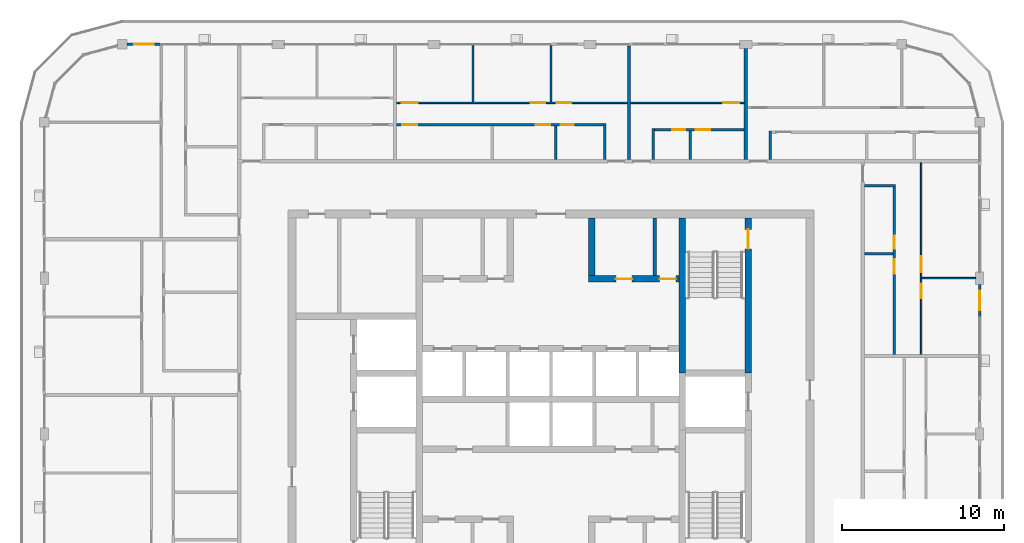
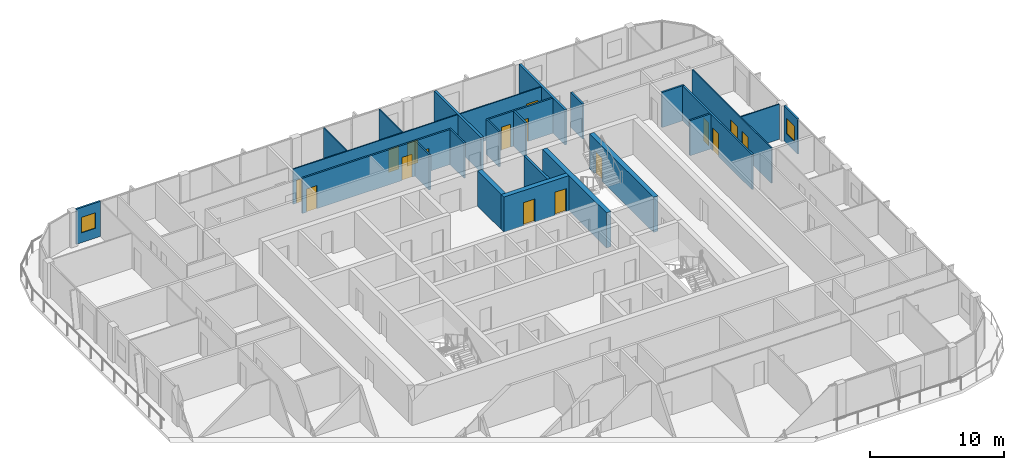
# One storey, part 14 of 21: 25 walls, 16 doors, 2 windows, 18 openings.
"""IFC4 building model written with IfcOpenShell, lengths in metres."""

from ifc_helpers import new_model, si_unit, direction, frame, frame_2d, origin, place, context, subcontext, project, spatial, rectangle, extrude, material, layer, layer_set, type_object, element, fill, save


model = new_model("IFC4")

# Units and contexts
model_context = context("Model", 3, precision=1e-05, world=origin(), true_north=direction((0.0, 1.0)))
body_context = subcontext(model_context, "Body", "Model", "MODEL_VIEW")
ifc_project = project(units=[si_unit("LENGTHUNIT", "METRE"), si_unit("AREAUNIT", "SQUARE_METRE"), si_unit("VOLUMEUNIT", "CUBIC_METRE"), si_unit("PLANEANGLEUNIT", "RADIAN"), si_unit("MASSUNIT", "GRAM", prefix="KILO")], contexts=[model_context])

# Site, building, storey
site_placement = place(None, origin())
site = spatial("IfcSite", under=ifc_project, at=site_placement, CompositionType="ELEMENT")
building_placement = place(site_placement, origin())
building = spatial("IfcBuilding", under=site, at=building_placement, Name="Madar Terraces", CompositionType="ELEMENT")
storey_placement = place(building_placement, frame((0.0, 0.0, 272.10009765625)))
storey = spatial("IfcBuildingStorey", under=building, at=storey_placement, Name="L71", CompositionType="ELEMENT", Elevation=272.10009765625)

# Wall
ifc_material_1 = material(Name="Concrete C50/60", Category="concrete")
ifc_layer_1 = layer(ifc_material_1, 0.39990234375)
ifc_layer_set_1 = layer_set([ifc_layer_1], Name="Concrete C50/60 (CIW6 RC wall 400)")
wall_type_1 = type_object("IfcWallType", Name="CIW6 RC wall 400", PredefinedType="SHEAR", material=ifc_layer_set_1)
wall_1_placement = place(storey_placement, frame((39.300048828125, 27.75, 0.0), z_axis=(0.0, 0.0, 1.0), x_axis=(0.0, 1.0, 0.0)))
element("IfcWall", 1, at=wall_1_placement, inside=storey, type_object=wall_type_1, Name="CORE SHAFT WALL", PredefinedType="SHEAR", context=body_context, shape_type="SweptSolid", body=[
    extrude(rectangle(XDim=9.550048828125, YDim=0.39990234375, at=frame_2d((4.77490234375, 0.0))), origin(), (0.0, 0.0, 1.0), 3.199951171875),
])

# Wall, opening, door
wall_2_placement = place(storey_placement, frame((43.35009765625, 27.75, 0.0), z_axis=(0.0, 0.0, 1.0), x_axis=(0.0, 1.0, 0.0)))
wall_2 = element("IfcWall", 2, at=wall_2_placement, inside=storey, type_object=wall_type_1, Name="CORE SHAFT WALL", PredefinedType="SHEAR", context=body_context, shape_type="SweptSolid", body=[
    extrude(rectangle(XDim=9.550048828125, YDim=0.39990234375, at=frame_2d((4.77490234375, 0.0))), origin(), (0.0, 0.0, 1.0), 3.199951171875),
])
opening_1_placement = place(wall_2_placement, frame((7.64990234375, 0.0, 0.0)))
opening_1 = element("IfcOpeningElement", 3, at=opening_1_placement, cuts=wall_2, Name="Opening SD1", PredefinedType="OPENING", context=body_context, shape_type="SweptSolid", body=[
    extrude(rectangle(XDim=1.199951171875, YDim=2.10009765625, at=frame_2d((0.60009765625, 1.050048828125))), frame((0.0, 0.2099609375, 0.0), z_axis=(0.0, -1.0, 0.0), x_axis=(1.0, 0.0, 0.0)), (0.0, 0.0, 1.0), 0.419921875),
])
ifc_material_2 = material(Name="Steel door leaf", Category="steel")
door_type_1 = type_object("IfcDoorType", Name="Stair door 1200 x 2100", OperationType="NOTDEFINED", PredefinedType="DOOR", material=ifc_material_2)
door_1_placement = place(opening_1_placement, origin())
door_1 = element("IfcDoor", 4, at=door_1_placement, inside=storey, type_object=door_type_1, Name="STAIR DOOR", OperationType="SINGLE_SWING_LEFT", OverallHeight=2.10009765625, OverallWidth=1.199951171875, PredefinedType="DOOR", context=body_context, shape_type="SweptSolid", body=[
    extrude(rectangle(XDim=1.199951171875, YDim=2.10009765625, at=frame_2d((0.60009765625, 1.050048828125))), frame((0.0, 0.02490234375, 0.0), z_axis=(0.0, -1.0, 0.0), x_axis=(1.0, 0.0, 0.0)), (0.0, 0.0, 1.0), 0.050048828125),
])
fill(opening_1, door_1)

# Wall, openings, doors
wall_3_placement = place(storey_placement, frame((33.5, 33.550048828125, 0.0), z_axis=(0.0, 0.0, 1.0), x_axis=(1.0, 0.0, 0.0)))
wall_3 = element("IfcWall", 5, at=wall_3_placement, inside=storey, type_object=wall_type_1, Name="CORE SHAFT WALL", PredefinedType="SHEAR", context=body_context, shape_type="SweptSolid", body=[
    extrude(rectangle(XDim=5.60009765625, YDim=0.39990234375, at=frame_2d((2.800048828125, 0.0))), origin(), (0.0, 0.0, 1.0), 3.199951171875),
])
opening_2_placement = place(wall_3_placement, frame((1.696044921875, 0.0, 0.0)))
opening_2 = element("IfcOpeningElement", 6, at=opening_2_placement, cuts=wall_3, Name="Opening KD2", PredefinedType="OPENING", context=body_context, shape_type="SweptSolid", body=[
    extrude(rectangle(XDim=1.0, YDim=2.10009765625, at=frame_2d((0.5, 1.050048828125))), frame((0.0, 0.2099609375, 0.0), z_axis=(0.0, -1.0, 0.0), x_axis=(1.0, 0.0, 0.0)), (0.0, 0.0, 1.0), 0.419921875),
])
opening_3_placement = place(wall_3_placement, frame((4.39599609375, 0.0, 0.0)))
opening_3 = element("IfcOpeningElement", 7, at=opening_3_placement, cuts=wall_3, Name="Opening KD2", PredefinedType="OPENING", context=body_context, shape_type="SweptSolid", body=[
    extrude(rectangle(XDim=1.0, YDim=2.10009765625, at=frame_2d((0.5, 1.050048828125))), frame((0.0, 0.2099609375, 0.0), z_axis=(0.0, -1.0, 0.0), x_axis=(1.0, 0.0, 0.0)), (0.0, 0.0, 1.0), 0.419921875),
])
ifc_material_3 = material(Name="Steel door leaf", Category="steel")
door_type_2 = type_object("IfcDoorType", Name="Service room door 1000 x 2100", OperationType="NOTDEFINED", PredefinedType="DOOR", material=ifc_material_3)
door_2_placement = place(opening_2_placement, frame((1.0, 0.0, 0.0), z_axis=(0.0, 0.0, 1.0), x_axis=(-1.0, 0.0, 0.0)))
door_2 = element("IfcDoor", 8, at=door_2_placement, inside=storey, type_object=door_type_2, Name="SERVICE ROOM DOOR", OperationType="SINGLE_SWING_LEFT", OverallHeight=2.10009765625, OverallWidth=1.0, PredefinedType="DOOR", context=body_context, shape_type="SweptSolid", body=[
    extrude(rectangle(XDim=1.0, YDim=2.10009765625, at=frame_2d((0.5, 1.050048828125))), frame((0.0, 0.02490234375, 0.0), z_axis=(0.0, -1.0, 0.0), x_axis=(1.0, 0.0, 0.0)), (0.0, 0.0, 1.0), 0.050048828125),
])
fill(opening_2, door_2)
door_3_placement = place(opening_3_placement, frame((1.0, 0.0, 0.0), z_axis=(0.0, 0.0, 1.0), x_axis=(-1.0, 0.0, 0.0)))
door_3 = element("IfcDoor", 9, at=door_3_placement, inside=storey, type_object=door_type_2, Name="SERVICE ROOM DOOR", OperationType="SINGLE_SWING_RIGHT", OverallHeight=2.10009765625, OverallWidth=1.0, PredefinedType="DOOR", context=body_context, shape_type="SweptSolid", body=[
    extrude(rectangle(XDim=1.0, YDim=2.10009765625, at=frame_2d((0.5, 1.050048828125))), frame((0.0, 0.02490234375, 0.0), z_axis=(0.0, -1.0, 0.0), x_axis=(1.0, 0.0, 0.0)), (0.0, 0.0, 1.0), 0.050048828125),
])
fill(opening_3, door_3)

# Walls
wall_4_placement = place(storey_placement, frame((33.699951171875, 33.75, 0.0), z_axis=(0.0, 0.0, 1.0), x_axis=(0.0, 1.0, 0.0)))
element("IfcWall", 10, at=wall_4_placement, inside=storey, type_object=wall_type_1, Name="CORE SHAFT WALL", PredefinedType="SHEAR", context=body_context, shape_type="SweptSolid", body=[
    extrude(rectangle(XDim=3.550048828125, YDim=0.39990234375, at=frame_2d((1.77490234375, 0.0))), origin(), (0.0, 0.0, 1.0), 3.199951171875),
])
ifc_material_4 = material(Name="Masonry blockwork", Category="masonry")
ifc_layer_2 = layer(ifc_material_4, 0.199951171875)
ifc_layer_set_2 = layer_set([ifc_layer_2], Name="Core partition 200 blockwork")
wall_type_2 = type_object("IfcWallType", Name="Core partition 200 blockwork", PredefinedType="PARTITIONING", material=ifc_layer_set_2)
wall_5_placement = place(storey_placement, frame((37.592041015625, 33.75, 0.0), z_axis=(0.0, 0.0, 1.0), x_axis=(0.0, 1.0, 0.0)))
element("IfcWall", 11, at=wall_5_placement, inside=storey, type_object=wall_type_2, Name="SERVICE ROOM PARTITION", PredefinedType="PARTITIONING", context=body_context, shape_type="SweptSolid", body=[
    extrude(rectangle(XDim=3.550048828125, YDim=0.199951171875, at=frame_2d((1.77490234375, 0.0))), origin(), (0.0, 0.0, 1.0), 3.199951171875),
])

# Wall, opening, window
ifc_material_5 = material(Name="Aluminium composite panel, black, over insulated backing", Category="aluminium")
ifc_layer_3 = layer(ifc_material_5, 0.14990234375)
ifc_layer_set_3 = layer_set([ifc_layer_3], Name="Facade bay panel 150")
wall_type_3 = type_object("IfcWallType", Name="Facade bay panel 150", PredefinedType="SOLIDWALL", material=ifc_layer_set_3)
wall_6_placement = place(storey_placement, frame((57.60009765625, 31.199951171875, 0.0), z_axis=(0.0, 0.0, 1.0), x_axis=(0.0, 1.0, 0.0)))
wall_6 = element("IfcWall", 12, at=wall_6_placement, inside=storey, type_object=wall_type_3, Name="Facade bay panel", PredefinedType="SOLIDWALL", context=body_context, shape_type="SweptSolid", body=[
    extrude(rectangle(XDim=2.025146484375, YDim=0.14990234375, at=frame_2d((1.0126953125, 0.0))), origin(), (0.0, 0.0, 1.0), 3.199951171875),
])
opening_4_placement = place(wall_6_placement, frame((0.41259765625, 0.0, 0.89990234375)))
opening_4 = element("IfcOpeningElement", 13, at=opening_4_placement, cuts=wall_6, Name="Opening W1", PredefinedType="OPENING", context=body_context, shape_type="SweptSolid", body=[
    extrude(rectangle(XDim=1.199951171875, YDim=1.39990234375, at=frame_2d((0.60009765625, 0.699951171875))), frame((0.0, 0.0849609375, 0.0), z_axis=(0.0, -1.0, 0.0), x_axis=(1.0, 0.0, 0.0)), (0.0, 0.0, 1.0), 0.169921875),
])
ifc_material_6 = material(Name="Glass, clear, with black aluminium frame", Category="aluminium")
window_type = type_object("IfcWindowType", Name="Vent window 1200 x 1400", PartitioningType="SINGLE_PANEL", PredefinedType="WINDOW", material=ifc_material_6)
window_1_placement = place(opening_4_placement, origin())
window_1 = element("IfcWindow", 14, at=window_1_placement, inside=storey, type_object=window_type, Name="Operable vent window", OverallHeight=1.39990234375, OverallWidth=1.199951171875, PartitioningType="SINGLE_PANEL", PredefinedType="WINDOW", context=body_context, shape_type="SweptSolid", body=[
    extrude(rectangle(XDim=1.199951171875, YDim=1.39990234375, at=frame_2d((0.60009765625, 0.699951171875))), frame((0.0, 0.030029296875, 0.0), z_axis=(0.0, -1.0, 0.0), x_axis=(1.0, 0.0, 0.0)), (0.0, 0.0, 1.0), 0.06005859375),
])
fill(opening_4, window_1)

wall_7_placement = place(storey_placement, frame((7.199951171875, 48.0, 0.0), z_axis=(0.0, 0.0, 1.0), x_axis=(-1.0, 0.0, 0.0)))
wall_7 = element("IfcWall", 15, at=wall_7_placement, inside=storey, type_object=wall_type_3, Name="Facade bay panel", PredefinedType="SOLIDWALL", context=body_context, shape_type="SweptSolid", body=[
    extrude(rectangle(XDim=2.099853515625, YDim=0.14990234375, at=frame_2d((1.0498046875, 0.0))), origin(), (0.0, 0.0, 1.0), 3.199951171875),
])
opening_5_placement = place(wall_7_placement, frame((0.449951171875, 0.0, 0.89990234375)))
opening_5 = element("IfcOpeningElement", 16, at=opening_5_placement, cuts=wall_7, Name="Opening W1", PredefinedType="OPENING", context=body_context, shape_type="SweptSolid", body=[
    extrude(rectangle(XDim=1.199951171875, YDim=1.39990234375, at=frame_2d((0.60009765625, 0.699951171875))), frame((0.0, 0.0849609375, 0.0), z_axis=(0.0, -1.0, 0.0), x_axis=(1.0, 0.0, 0.0)), (0.0, 0.0, 1.0), 0.169921875),
])
window_2_placement = place(opening_5_placement, origin())
window_2 = element("IfcWindow", 17, at=window_2_placement, inside=storey, type_object=window_type, Name="Operable vent window", OverallHeight=1.39990234375, OverallWidth=1.199951171875, PartitioningType="SINGLE_PANEL", PredefinedType="WINDOW", context=body_context, shape_type="SweptSolid", body=[
    extrude(rectangle(XDim=1.199951171875, YDim=1.39990234375, at=frame_2d((0.60009765625, 0.699951171875))), frame((0.0, 0.030029296875, 0.0), z_axis=(0.0, -1.0, 0.0), x_axis=(1.0, 0.0, 0.0)), (0.0, 0.0, 1.0), 0.06005859375),
])
fill(opening_5, window_2)

# Wall
ifc_material_7 = material(Name="Gypsum board on steel studs", Category="steel")
ifc_layer_4 = layer(ifc_material_7, 0.10009765625)
ifc_layer_set_4 = layer_set([ifc_layer_4], Name="Flat partition 100")
wall_type_4 = type_object("IfcWallType", Name="Flat partition 100", PredefinedType="PARTITIONING", material=ifc_layer_set_4)
wall_8_placement = place(storey_placement, frame((54.050048828125, 33.60009765625, 0.0), z_axis=(0.0, 0.0, 1.0), x_axis=(1.0, 0.0, 0.0)))
element("IfcWall", 18, at=wall_8_placement, inside=storey, type_object=wall_type_4, Name="Flat partition 100", PredefinedType="PARTITIONING", context=body_context, shape_type="SweptSolid", body=[
    extrude(rectangle(XDim=3.300048828125, YDim=0.10009765625, at=frame_2d((1.64990234375, 0.0))), origin(), (0.0, 0.0, 1.0), 3.199951171875),
])

# Wall, openings, doors
wall_9_placement = place(storey_placement, frame((54.0, 40.699951171875, 0.0), z_axis=(0.0, 0.0, 1.0), x_axis=(0.0, -1.0, 0.0)))
wall_9 = element("IfcWall", 19, at=wall_9_placement, inside=storey, type_object=wall_type_4, Name="Flat partition 100", PredefinedType="PARTITIONING", context=body_context, shape_type="SweptSolid", body=[
    extrude(rectangle(XDim=11.800048828125, YDim=0.10009765625, at=frame_2d((5.89990234375, 0.0))), origin(), (0.0, 0.0, 1.0), 3.199951171875),
])
opening_6_placement = place(wall_9_placement, frame((5.75, 0.0, 0.0)))
opening_6 = element("IfcOpeningElement", 20, at=opening_6_placement, cuts=wall_9, Name="Opening D3", PredefinedType="OPENING", context=body_context, shape_type="SweptSolid", body=[
    extrude(rectangle(XDim=1.0, YDim=2.10009765625, at=frame_2d((0.5, 1.050048828125))), frame((0.0, 0.06005859375, 0.0), z_axis=(0.0, -1.0, 0.0), x_axis=(1.0, 0.0, 0.0)), (0.0, 0.0, 1.0), 0.1201171875),
])
opening_7_placement = place(wall_9_placement, frame((7.449951171875, 0.0, 0.0)))
opening_7 = element("IfcOpeningElement", 21, at=opening_7_placement, cuts=wall_9, Name="Opening D2", PredefinedType="OPENING", context=body_context, shape_type="SweptSolid", body=[
    extrude(rectangle(XDim=0.89990234375, YDim=2.10009765625, at=frame_2d((0.449951171875, 1.050048828125))), frame((0.0, 0.06005859375, 0.0), z_axis=(0.0, -1.0, 0.0), x_axis=(1.0, 0.0, 0.0)), (0.0, 0.0, 1.0), 0.1201171875),
])
ifc_material_8 = material(Name="Timber door leaf", Category="wood")
door_type_3 = type_object("IfcDoorType", Name="Flat living room door 1000", OperationType="NOTDEFINED", PredefinedType="DOOR", material=ifc_material_8)
door_4_placement = place(opening_6_placement, origin())
door_4 = element("IfcDoor", 22, at=door_4_placement, inside=storey, type_object=door_type_3, Name="Flat living room door 1000", OperationType="SINGLE_SWING_RIGHT", OverallHeight=2.10009765625, OverallWidth=1.0, PredefinedType="DOOR", context=body_context, shape_type="SweptSolid", body=[
    extrude(rectangle(XDim=1.0, YDim=2.10009765625, at=frame_2d((0.5, 1.050048828125))), frame((0.0, 0.02490234375, 0.0), z_axis=(0.0, -1.0, 0.0), x_axis=(1.0, 0.0, 0.0)), (0.0, 0.0, 1.0), 0.050048828125),
])
fill(opening_6, door_4)
ifc_material_9 = material(Name="Timber door leaf", Category="wood")
door_type_4 = type_object("IfcDoorType", Name="Flat room door 900", OperationType="NOTDEFINED", PredefinedType="DOOR", material=ifc_material_9)
door_5_placement = place(opening_7_placement, origin())
door_5 = element("IfcDoor", 23, at=door_5_placement, inside=storey, type_object=door_type_4, Name="Flat room door 900", OperationType="SINGLE_SWING_LEFT", OverallHeight=2.10009765625, OverallWidth=0.89990234375, PredefinedType="DOOR", context=body_context, shape_type="SweptSolid", body=[
    extrude(rectangle(XDim=0.89990234375, YDim=2.10009765625, at=frame_2d((0.449951171875, 1.050048828125))), frame((0.0, 0.02490234375, 0.0), z_axis=(0.0, -1.0, 0.0), x_axis=(1.0, 0.0, 0.0)), (0.0, 0.0, 1.0), 0.050048828125),
])
fill(opening_7, door_5)

# Wall, opening, door
wall_10_placement = place(storey_placement, frame((36.10009765625, 44.39990234375, 0.0), z_axis=(0.0, 0.0, 1.0), x_axis=(1.0, 0.0, 0.0)))
wall_10 = element("IfcWall", 24, at=wall_10_placement, inside=storey, type_object=wall_type_4, Name="Flat partition 100", PredefinedType="PARTITIONING", context=body_context, shape_type="SweptSolid", body=[
    extrude(rectangle(XDim=7.0, YDim=0.10009765625, at=frame_2d((3.5, 0.0))), origin(), (0.0, 0.0, 1.0), 3.199951171875),
])
opening_8_placement = place(wall_10_placement, frame((5.699951171875, 0.0, 0.0)))
opening_8 = element("IfcOpeningElement", 25, at=opening_8_placement, cuts=wall_10, Name="Opening D3", PredefinedType="OPENING", context=body_context, shape_type="SweptSolid", body=[
    extrude(rectangle(XDim=1.0, YDim=2.10009765625, at=frame_2d((0.5, 1.050048828125))), frame((0.0, 0.06005859375, 0.0), z_axis=(0.0, -1.0, 0.0), x_axis=(1.0, 0.0, 0.0)), (0.0, 0.0, 1.0), 0.1201171875),
])
door_6_placement = place(opening_8_placement, origin())
door_6 = element("IfcDoor", 26, at=door_6_placement, inside=storey, type_object=door_type_3, Name="Flat living room door 1000", OperationType="SINGLE_SWING_RIGHT", OverallHeight=2.10009765625, OverallWidth=1.0, PredefinedType="DOOR", context=body_context, shape_type="SweptSolid", body=[
    extrude(rectangle(XDim=1.0, YDim=2.10009765625, at=frame_2d((0.5, 1.050048828125))), frame((0.0, 0.02490234375, 0.0), z_axis=(0.0, -1.0, 0.0), x_axis=(1.0, 0.0, 0.0)), (0.0, 0.0, 1.0), 0.050048828125),
])
fill(opening_8, door_6)

# Walls
for number, where, z_axis, x_axis, name in (
    (27, (31.199951171875, 44.449951171875, 0.0), (0.0, 0.0, 1.0), (0.0, 1.0, 0.0), "Flat partition 100"),
    (28, (26.39990234375, 44.449951171875, 0.0), (0.0, 0.0, 1.0), (0.0, 1.0, 0.0), "Flat partition 100"),
):
    element("IfcWall", number, at=place(storey_placement, frame(where, z_axis=z_axis, x_axis=x_axis)), inside=storey, type_object=wall_type_4, Name=name, PredefinedType="PARTITIONING", context=body_context, shape_type="SweptSolid", body=[
        extrude(rectangle(XDim=3.449951171875, YDim=0.10009765625, at=frame_2d((1.72509765625, 0.0))), origin(), (0.0, 0.0, 1.0), 3.199951171875),
    ])

# Wall, openings, doors
wall_11_placement = place(storey_placement, frame((21.699951171875, 44.39990234375, 0.0), z_axis=(0.0, 0.0, 1.0), x_axis=(1.0, 0.0, 0.0)))
wall_11 = element("IfcWall", 29, at=wall_11_placement, inside=storey, type_object=wall_type_4, Name="Flat partition 100", PredefinedType="PARTITIONING", context=body_context, shape_type="SweptSolid", body=[
    extrude(rectangle(XDim=14.199951171875, YDim=0.10009765625, at=frame_2d((7.10009765625, 0.0))), origin(), (0.0, 0.0, 1.0), 3.199951171875),
])
opening_9_placement = place(wall_11_placement, frame((9.85009765625, 0.0, 0.0)))
opening_9 = element("IfcOpeningElement", 30, at=opening_9_placement, cuts=wall_11, Name="Opening D2", PredefinedType="OPENING", context=body_context, shape_type="SweptSolid", body=[
    extrude(rectangle(XDim=0.89990234375, YDim=2.10009765625, at=frame_2d((0.449951171875, 1.050048828125))), frame((0.0, 0.06005859375, 0.0), z_axis=(0.0, -1.0, 0.0), x_axis=(1.0, 0.0, 0.0)), (0.0, 0.0, 1.0), 0.1201171875),
])
opening_10_placement = place(wall_11_placement, frame((8.25, 0.0, 0.0)))
opening_10 = element("IfcOpeningElement", 31, at=opening_10_placement, cuts=wall_11, Name="Opening D2", PredefinedType="OPENING", context=body_context, shape_type="SweptSolid", body=[
    extrude(rectangle(XDim=0.89990234375, YDim=2.10009765625, at=frame_2d((0.449951171875, 1.050048828125))), frame((0.0, 0.06005859375, 0.0), z_axis=(0.0, -1.0, 0.0), x_axis=(1.0, 0.0, 0.0)), (0.0, 0.0, 1.0), 0.1201171875),
])
opening_11_placement = place(wall_11_placement, frame((0.300048828125, 0.0, 0.0)))
opening_11 = element("IfcOpeningElement", 32, at=opening_11_placement, cuts=wall_11, Name="Opening D3", PredefinedType="OPENING", context=body_context, shape_type="SweptSolid", body=[
    extrude(rectangle(XDim=1.0, YDim=2.10009765625, at=frame_2d((0.5, 1.050048828125))), frame((0.0, 0.06005859375, 0.0), z_axis=(0.0, -1.0, 0.0), x_axis=(1.0, 0.0, 0.0)), (0.0, 0.0, 1.0), 0.1201171875),
])
door_7_placement = place(opening_11_placement, origin())
door_7 = element("IfcDoor", 33, at=door_7_placement, inside=storey, type_object=door_type_3, Name="Flat living room door 1000", OperationType="SINGLE_SWING_LEFT", OverallHeight=2.10009765625, OverallWidth=1.0, PredefinedType="DOOR", context=body_context, shape_type="SweptSolid", body=[
    extrude(rectangle(XDim=1.0, YDim=2.10009765625, at=frame_2d((0.5, 1.050048828125))), frame((0.0, 0.02490234375, 0.0), z_axis=(0.0, -1.0, 0.0), x_axis=(1.0, 0.0, 0.0)), (0.0, 0.0, 1.0), 0.050048828125),
])
fill(opening_11, door_7)
door_8_placement = place(opening_9_placement, origin())
door_8 = element("IfcDoor", 34, at=door_8_placement, inside=storey, type_object=door_type_4, Name="Flat room door 900", OperationType="SINGLE_SWING_LEFT", OverallHeight=2.10009765625, OverallWidth=0.89990234375, PredefinedType="DOOR", context=body_context, shape_type="SweptSolid", body=[
    extrude(rectangle(XDim=0.89990234375, YDim=2.10009765625, at=frame_2d((0.449951171875, 1.050048828125))), frame((0.0, 0.02490234375, 0.0), z_axis=(0.0, -1.0, 0.0), x_axis=(1.0, 0.0, 0.0)), (0.0, 0.0, 1.0), 0.050048828125),
])
fill(opening_9, door_8)
door_9_placement = place(opening_10_placement, origin())
door_9 = element("IfcDoor", 35, at=door_9_placement, inside=storey, type_object=door_type_4, Name="Flat room door 900", OperationType="SINGLE_SWING_RIGHT", OverallHeight=2.10009765625, OverallWidth=0.89990234375, PredefinedType="DOOR", context=body_context, shape_type="SweptSolid", body=[
    extrude(rectangle(XDim=0.89990234375, YDim=2.10009765625, at=frame_2d((0.449951171875, 1.050048828125))), frame((0.0, 0.02490234375, 0.0), z_axis=(0.0, -1.0, 0.0), x_axis=(1.0, 0.0, 0.0)), (0.0, 0.0, 1.0), 0.050048828125),
])
fill(opening_10, door_9)

# Walls
ifc_material_10 = material(Name="Lightweight blockwork", Category="masonry")
ifc_layer_5 = layer(ifc_material_10, 0.199951171875)
ifc_layer_set_5 = layer_set([ifc_layer_5], Name="Flat party and entrance wall 200")
wall_type_5 = type_object("IfcWallType", Name="Flat party and entrance wall 200", PredefinedType="PARTITIONING", material=ifc_layer_set_5)
wall_12_placement = place(storey_placement, frame((43.199951171875, 47.75, 0.0), z_axis=(0.0, 0.0, 1.0), x_axis=(0.0, -1.0, 0.0)))
element("IfcWall", 36, at=wall_12_placement, inside=storey, type_object=wall_type_5, Name="Flat party and entrance wall 200", PredefinedType="PARTITIONING", context=body_context, shape_type="SweptSolid", body=[
    extrude(rectangle(XDim=6.85009765625, YDim=0.199951171875, at=frame_2d((3.425048828125, 0.0))), origin(), (0.0, 0.0, 1.0), 3.199951171875),
])
wall_13_placement = place(storey_placement, frame((36.0, 47.89990234375, 0.0), z_axis=(0.0, 0.0, 1.0), x_axis=(0.0, -1.0, 0.0)))
element("IfcWall", 37, at=wall_13_placement, inside=storey, type_object=wall_type_5, Name="Flat party and entrance wall 200", PredefinedType="PARTITIONING", context=body_context, shape_type="SweptSolid", body=[
    extrude(rectangle(XDim=7.0, YDim=0.199951171875, at=frame_2d((3.5, 0.0))), origin(), (0.0, 0.0, 1.0), 3.199951171875),
])
ifc_material_11 = material(Name="Lightweight blockwork", Category="masonry")
ifc_layer_6 = layer(ifc_material_11, 0.14990234375)
ifc_layer_set_6 = layer_set([ifc_layer_6], Name="Flat wet-room partition 150")
wall_type_6 = type_object("IfcWallType", Name="Flat wet-room partition 150", PredefinedType="PARTITIONING", material=ifc_layer_set_6)
wall_14_placement = place(storey_placement, frame((50.5, 35.094970703125, 0.0), z_axis=(0.0, 0.0, 1.0), x_axis=(1.0, 0.0, 0.0)))
element("IfcWall", 38, at=wall_14_placement, inside=storey, type_object=wall_type_6, Name="Flat wet-room partition 150", PredefinedType="PARTITIONING", context=body_context, shape_type="SweptSolid", body=[
    extrude(rectangle(XDim=1.77490234375, YDim=0.14990234375, at=frame_2d((0.887451171875, 0.0))), origin(), (0.0, 0.0, 1.0), 3.199951171875),
])
wall_15_placement = place(storey_placement, frame((50.5, 39.300048828125, 0.0), z_axis=(0.0, 0.0, 1.0), x_axis=(1.0, 0.0, 0.0)))
element("IfcWall", 39, at=wall_15_placement, inside=storey, type_object=wall_type_6, Name="Flat wet-room partition 150", PredefinedType="PARTITIONING", context=body_context, shape_type="SweptSolid", body=[
    extrude(rectangle(XDim=1.925048828125, YDim=0.14990234375, at=frame_2d((0.96240234375, 0.0))), origin(), (0.0, 0.0, 1.0), 3.199951171875),
])

# Wall, openings, doors
wall_16_placement = place(storey_placement, frame((52.35009765625, 28.89990234375, 0.0), z_axis=(0.0, 0.0, 1.0), x_axis=(0.0, 1.0, 0.0)))
wall_16 = element("IfcWall", 40, at=wall_16_placement, inside=storey, type_object=wall_type_6, Name="Flat wet-room partition 150", PredefinedType="PARTITIONING", context=body_context, shape_type="SweptSolid", body=[
    extrude(rectangle(XDim=10.3251953125, YDim=0.14990234375, at=frame_2d((5.16259765625, 0.0))), origin(), (0.0, 0.0, 1.0), 3.199951171875),
])
opening_12_placement = place(wall_16_placement, frame((6.52001953125, 0.0, 0.0)))
opening_12 = element("IfcOpeningElement", 41, at=opening_12_placement, cuts=wall_16, Name="Opening D4", PredefinedType="OPENING", context=body_context, shape_type="SweptSolid", body=[
    extrude(rectangle(XDim=0.800048828125, YDim=2.10009765625, at=frame_2d((0.39990234375, 1.050048828125))), frame((0.0, 0.0849609375, 0.0), z_axis=(0.0, -1.0, 0.0), x_axis=(1.0, 0.0, 0.0)), (0.0, 0.0, 1.0), 0.169921875),
])
opening_13_placement = place(wall_16_placement, frame((4.969970703125, 0.0, 0.0)))
opening_13 = element("IfcOpeningElement", 42, at=opening_13_placement, cuts=wall_16, Name="Opening D2", PredefinedType="OPENING", context=body_context, shape_type="SweptSolid", body=[
    extrude(rectangle(XDim=0.89990234375, YDim=2.10009765625, at=frame_2d((0.449951171875, 1.050048828125))), frame((0.0, 0.0849609375, 0.0), z_axis=(0.0, -1.0, 0.0), x_axis=(1.0, 0.0, 0.0)), (0.0, 0.0, 1.0), 0.169921875),
])
ifc_material_12 = material(Name="Timber door leaf", Category="wood")
door_type_5 = type_object("IfcDoorType", Name="Flat bathroom door 800", OperationType="NOTDEFINED", PredefinedType="DOOR", material=ifc_material_12)
door_10_placement = place(opening_12_placement, origin())
door_10 = element("IfcDoor", 43, at=door_10_placement, inside=storey, type_object=door_type_5, Name="Flat bathroom door 800", OperationType="SINGLE_SWING_LEFT", OverallHeight=2.10009765625, OverallWidth=0.800048828125, PredefinedType="DOOR", context=body_context, shape_type="SweptSolid", body=[
    extrude(rectangle(XDim=0.800048828125, YDim=2.10009765625, at=frame_2d((0.39990234375, 1.050048828125))), frame((0.0, 0.02490234375, 0.0), z_axis=(0.0, -1.0, 0.0), x_axis=(1.0, 0.0, 0.0)), (0.0, 0.0, 1.0), 0.050048828125),
])
fill(opening_12, door_10)
door_11_placement = place(opening_13_placement, origin())
door_11 = element("IfcDoor", 44, at=door_11_placement, inside=storey, type_object=door_type_4, Name="Flat room door 900", OperationType="SINGLE_SWING_RIGHT", OverallHeight=2.10009765625, OverallWidth=0.89990234375, PredefinedType="DOOR", context=body_context, shape_type="SweptSolid", body=[
    extrude(rectangle(XDim=0.89990234375, YDim=2.10009765625, at=frame_2d((0.449951171875, 1.050048828125))), frame((0.0, 0.02490234375, 0.0), z_axis=(0.0, -1.0, 0.0), x_axis=(1.0, 0.0, 0.0)), (0.0, 0.0, 1.0), 0.050048828125),
])
fill(opening_13, door_11)

# Walls
for number, where, z_axis, x_axis, name in (
    (45, (44.699951171875, 40.89990234375, 0.0), (0.0, 0.0, 1.0), (0.0, 1.0, 0.0), "Flat wet-room partition 150"),
    (46, (39.784912109375, 40.89990234375, 0.0), (0.0, 0.0, 1.0), (0.0, 1.0, 0.0), "Flat wet-room partition 150"),
):
    element("IfcWall", number, at=place(storey_placement, frame(where, z_axis=z_axis, x_axis=x_axis)), inside=storey, type_object=wall_type_6, Name=name, PredefinedType="PARTITIONING", context=body_context, shape_type="SweptSolid", body=[
        extrude(rectangle(XDim=1.775146484375, YDim=0.14990234375, at=frame_2d((0.8876953125, 0.0))), origin(), (0.0, 0.0, 1.0), 3.199951171875),
    ])
wall_17_placement = place(storey_placement, frame((37.5, 40.89990234375, 0.0), z_axis=(0.0, 0.0, 1.0), x_axis=(0.0, 1.0, 0.0)))
element("IfcWall", 47, at=wall_17_placement, inside=storey, type_object=wall_type_6, Name="Flat wet-room partition 150", PredefinedType="PARTITIONING", context=body_context, shape_type="SweptSolid", body=[
    extrude(rectangle(XDim=1.925048828125, YDim=0.14990234375, at=frame_2d((0.96240234375, 0.0))), origin(), (0.0, 0.0, 1.0), 3.199951171875),
])

# Wall, openings, doors
wall_18_placement = place(storey_placement, frame((43.10009765625, 42.75, 0.0), z_axis=(0.0, 0.0, 1.0), x_axis=(-1.0, 0.0, 0.0)))
wall_18 = element("IfcWall", 48, at=wall_18_placement, inside=storey, type_object=wall_type_6, Name="Flat wet-room partition 150", PredefinedType="PARTITIONING", context=body_context, shape_type="SweptSolid", body=[
    extrude(rectangle(XDim=5.525146484375, YDim=0.14990234375, at=frame_2d((2.7626953125, 0.0))), origin(), (0.0, 0.0, 1.0), 3.199951171875),
])
opening_14_placement = place(wall_18_placement, frame((3.639892578125, 0.0, 0.0)))
opening_14 = element("IfcOpeningElement", 49, at=opening_14_placement, cuts=wall_18, Name="Opening D4", PredefinedType="OPENING", context=body_context, shape_type="SweptSolid", body=[
    extrude(rectangle(XDim=0.800048828125, YDim=2.10009765625, at=frame_2d((0.39990234375, 1.050048828125))), frame((0.0, 0.0849609375, 0.0), z_axis=(0.0, -1.0, 0.0), x_axis=(1.0, 0.0, 0.0)), (0.0, 0.0, 1.0), 0.169921875),
])
opening_15_placement = place(wall_18_placement, frame((2.090087890625, 0.0, 0.0)))
opening_15 = element("IfcOpeningElement", 50, at=opening_15_placement, cuts=wall_18, Name="Opening D2", PredefinedType="OPENING", context=body_context, shape_type="SweptSolid", body=[
    extrude(rectangle(XDim=0.89990234375, YDim=2.10009765625, at=frame_2d((0.449951171875, 1.050048828125))), frame((0.0, 0.0849609375, 0.0), z_axis=(0.0, -1.0, 0.0), x_axis=(1.0, 0.0, 0.0)), (0.0, 0.0, 1.0), 0.169921875),
])
door_12_placement = place(opening_14_placement, origin())
door_12 = element("IfcDoor", 51, at=door_12_placement, inside=storey, type_object=door_type_5, Name="Flat bathroom door 800", OperationType="SINGLE_SWING_LEFT", OverallHeight=2.10009765625, OverallWidth=0.800048828125, PredefinedType="DOOR", context=body_context, shape_type="SweptSolid", body=[
    extrude(rectangle(XDim=0.800048828125, YDim=2.10009765625, at=frame_2d((0.39990234375, 1.050048828125))), frame((0.0, 0.02490234375, 0.0), z_axis=(0.0, -1.0, 0.0), x_axis=(1.0, 0.0, 0.0)), (0.0, 0.0, 1.0), 0.050048828125),
])
fill(opening_14, door_12)
door_13_placement = place(opening_15_placement, origin())
door_13 = element("IfcDoor", 52, at=door_13_placement, inside=storey, type_object=door_type_4, Name="Flat room door 900", OperationType="SINGLE_SWING_RIGHT", OverallHeight=2.10009765625, OverallWidth=0.89990234375, PredefinedType="DOOR", context=body_context, shape_type="SweptSolid", body=[
    extrude(rectangle(XDim=0.89990234375, YDim=2.10009765625, at=frame_2d((0.449951171875, 1.050048828125))), frame((0.0, 0.02490234375, 0.0), z_axis=(0.0, -1.0, 0.0), x_axis=(1.0, 0.0, 0.0)), (0.0, 0.0, 1.0), 0.050048828125),
])
fill(opening_15, door_13)

# Walls
wall_19_placement = place(storey_placement, frame((31.488525390625, 40.89990234375, 0.0), z_axis=(0.0, 0.0, 1.0), x_axis=(0.0, 1.0, 0.0)))
element("IfcWall", 53, at=wall_19_placement, inside=storey, type_object=wall_type_6, Name="Flat wet-room partition 150", PredefinedType="PARTITIONING", context=body_context, shape_type="SweptSolid", body=[
    extrude(rectangle(XDim=2.0751953125, YDim=0.14990234375, at=frame_2d((1.03759765625, 0.0))), origin(), (0.0, 0.0, 1.0), 3.199951171875),
])
wall_20_placement = place(storey_placement, frame((34.5, 40.89990234375, 0.0), z_axis=(0.0, 0.0, 1.0), x_axis=(0.0, 1.0, 0.0)))
element("IfcWall", 54, at=wall_20_placement, inside=storey, type_object=wall_type_6, Name="Flat wet-room partition 150", PredefinedType="PARTITIONING", context=body_context, shape_type="SweptSolid", body=[
    extrude(rectangle(XDim=2.22509765625, YDim=0.14990234375, at=frame_2d((1.112548828125, 0.0))), origin(), (0.0, 0.0, 1.0), 3.199951171875),
])

# Wall, openings, doors
wall_21_placement = place(storey_placement, frame((34.425048828125, 43.050048828125, 0.0), z_axis=(0.0, 0.0, 1.0), x_axis=(-1.0, 0.0, 0.0)))
wall_21 = element("IfcWall", 55, at=wall_21_placement, inside=storey, type_object=wall_type_6, Name="Flat wet-room partition 150", PredefinedType="PARTITIONING", context=body_context, shape_type="SweptSolid", body=[
    extrude(rectangle(XDim=12.72509765625, YDim=0.14990234375, at=frame_2d((6.362548828125, 0.0))), origin(), (0.0, 0.0, 1.0), 3.199951171875),
])
opening_16_placement = place(wall_21_placement, frame((1.8115234375, 0.0, 0.0)))
opening_16 = element("IfcOpeningElement", 56, at=opening_16_placement, cuts=wall_21, Name="Opening D4", PredefinedType="OPENING", context=body_context, shape_type="SweptSolid", body=[
    extrude(rectangle(XDim=0.800048828125, YDim=2.10009765625, at=frame_2d((0.39990234375, 1.050048828125))), frame((0.0, 0.0849609375, 0.0), z_axis=(0.0, -1.0, 0.0), x_axis=(1.0, 0.0, 0.0)), (0.0, 0.0, 1.0), 0.169921875),
])
opening_17_placement = place(wall_21_placement, frame((3.261474609375, 0.0, 0.0)))
opening_17 = element("IfcOpeningElement", 57, at=opening_17_placement, cuts=wall_21, Name="Opening D5", PredefinedType="OPENING", context=body_context, shape_type="SweptSolid", body=[
    extrude(rectangle(XDim=0.89990234375, YDim=2.10009765625, at=frame_2d((0.449951171875, 1.050048828125))), frame((0.0, 0.0849609375, 0.0), z_axis=(0.0, -1.0, 0.0), x_axis=(1.0, 0.0, 0.0)), (0.0, 0.0, 1.0), 0.169921875),
])
opening_18_placement = place(wall_21_placement, frame((11.47509765625, 0.0, 0.0)))
opening_18 = element("IfcOpeningElement", 58, at=opening_18_placement, cuts=wall_21, Name="Opening D2", PredefinedType="OPENING", context=body_context, shape_type="SweptSolid", body=[
    extrude(rectangle(XDim=0.89990234375, YDim=2.10009765625, at=frame_2d((0.449951171875, 1.050048828125))), frame((0.0, 0.0849609375, 0.0), z_axis=(0.0, -1.0, 0.0), x_axis=(1.0, 0.0, 0.0)), (0.0, 0.0, 1.0), 0.169921875),
])
ifc_material_13 = material(Name="Timber door leaf", Category="wood")
door_type_6 = type_object("IfcDoorType", Name="Flat accessible bathroom door 900", OperationType="NOTDEFINED", PredefinedType="DOOR", material=ifc_material_13)
door_14_placement = place(opening_17_placement, origin())
door_14 = element("IfcDoor", 59, at=door_14_placement, inside=storey, type_object=door_type_6, Name="Flat accessible bathroom door 900", OperationType="SINGLE_SWING_LEFT", OverallHeight=2.10009765625, OverallWidth=0.89990234375, PredefinedType="DOOR", context=body_context, shape_type="SweptSolid", body=[
    extrude(rectangle(XDim=0.89990234375, YDim=2.10009765625, at=frame_2d((0.449951171875, 1.050048828125))), frame((0.0, 0.02490234375, 0.0), z_axis=(0.0, -1.0, 0.0), x_axis=(1.0, 0.0, 0.0)), (0.0, 0.0, 1.0), 0.050048828125),
])
fill(opening_17, door_14)
door_15_placement = place(opening_16_placement, origin())
door_15 = element("IfcDoor", 60, at=door_15_placement, inside=storey, type_object=door_type_5, Name="Flat bathroom door 800", OperationType="SINGLE_SWING_RIGHT", OverallHeight=2.10009765625, OverallWidth=0.800048828125, PredefinedType="DOOR", context=body_context, shape_type="SweptSolid", body=[
    extrude(rectangle(XDim=0.800048828125, YDim=2.10009765625, at=frame_2d((0.39990234375, 1.050048828125))), frame((0.0, 0.02490234375, 0.0), z_axis=(0.0, -1.0, 0.0), x_axis=(1.0, 0.0, 0.0)), (0.0, 0.0, 1.0), 0.050048828125),
])
fill(opening_16, door_15)
door_16_placement = place(opening_18_placement, origin())
door_16 = element("IfcDoor", 61, at=door_16_placement, inside=storey, type_object=door_type_4, Name="Flat room door 900", OperationType="SINGLE_SWING_RIGHT", OverallHeight=2.10009765625, OverallWidth=0.89990234375, PredefinedType="DOOR", context=body_context, shape_type="SweptSolid", body=[
    extrude(rectangle(XDim=0.89990234375, YDim=2.10009765625, at=frame_2d((0.449951171875, 1.050048828125))), frame((0.0, 0.02490234375, 0.0), z_axis=(0.0, -1.0, 0.0), x_axis=(1.0, 0.0, 0.0)), (0.0, 0.0, 1.0), 0.050048828125),
])
fill(opening_18, door_16)

save(model, "model.ifc")
